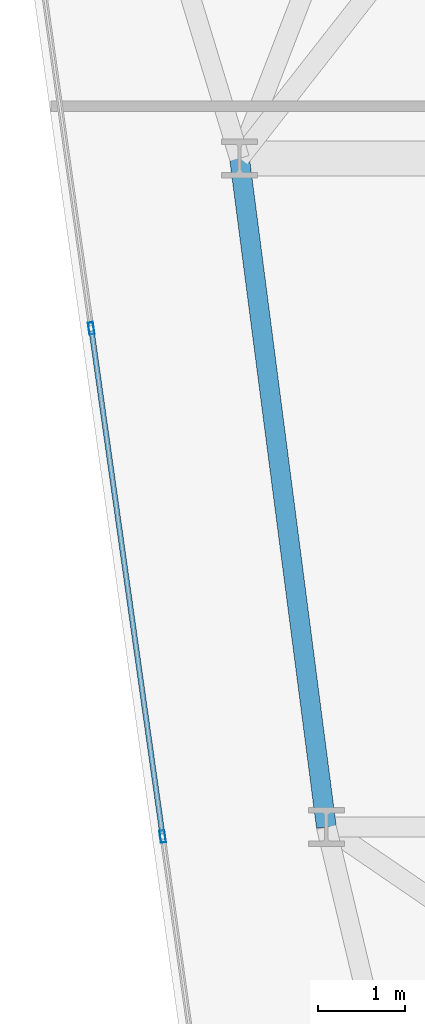
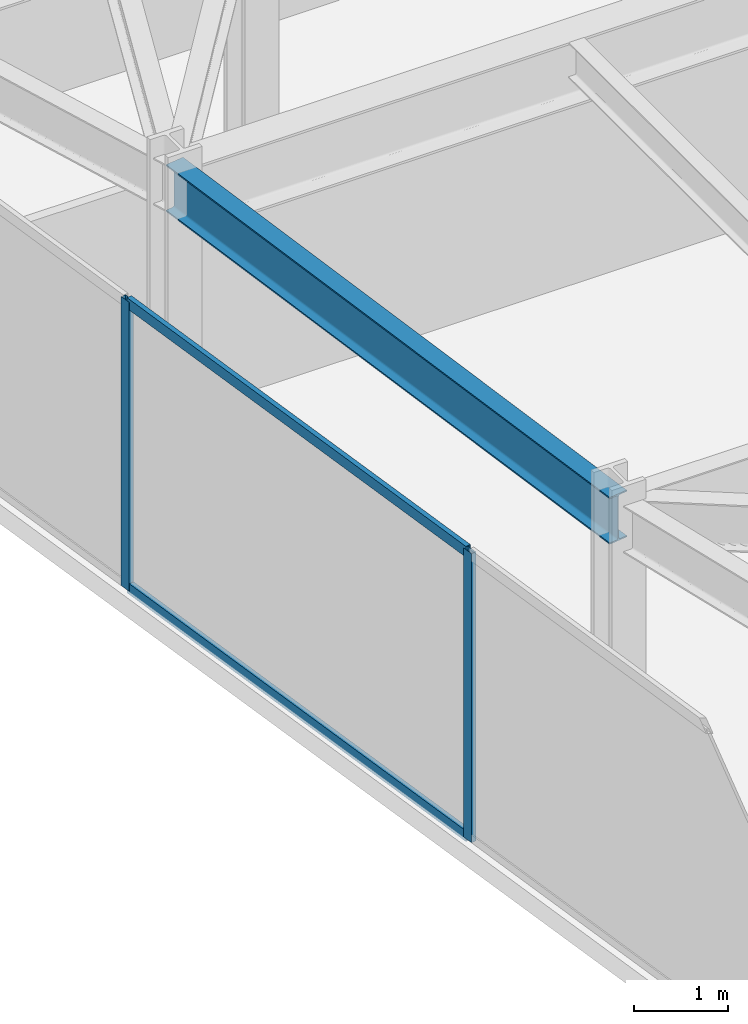
# One storey, part 5 of 26: 4 members, 1 beam, 1 element without a shape of its own.
"""IFC4 building model written with IfcOpenShell, lengths in metres."""

import ifcopenshell
import ifcopenshell.guid

model = None  # the IFC model being written
_history = None  # IfcOwnerHistory: only IFC2X3 demands one
_inside = {}  # id of a spatial element -> (the spatial element, [elements in it])
_under = {}  # id of a project, library or spatial element -> (it, [spatial elements below it])
_declared = {}  # id of a project -> (the project, [libraries it declares])
_typed = {}  # id of a type object -> (the type object, [elements of that type])
_made_of = {}  # id of a material, layer set ... -> (it, [elements and type objects made of it])


def new_model(schema):
    """Start an empty IFC model of exactly this schema.

    Asked for "IFC4X3", IfcOpenShell would pick the latest addendum, in which some entities
    have other attributes; the version numbers below select the first issue.
    IFC2X3 requires an IfcOwnerHistory on every rooted entity: one is made here for all.
    """
    global model, _history
    if schema == "IFC4X3":
        model = ifcopenshell.file(schema_version=(4, 3, 0, 0))
    else:
        model = ifcopenshell.file(schema=schema)
    _inside.clear()
    _under.clear()
    _declared.clear()
    _typed.clear()
    _made_of.clear()
    _history = None
    if model.schema == "IFC2X3":
        org = make("IfcOrganization", Name="unknown")
        user = make(
            "IfcPersonAndOrganization",
            ThePerson=make("IfcPerson", FamilyName="unknown"),
            TheOrganization=org,
        )
        app = make(
            "IfcApplication",
            ApplicationDeveloper=org,
            Version="unknown",
            ApplicationFullName="unknown",
            ApplicationIdentifier="unknown",
        )
        _history = make(
            "IfcOwnerHistory",
            OwningUser=user,
            OwningApplication=app,
            ChangeAction="ADDED",
            CreationDate=0,
        )
    return model


def make(cls, **values):
    """One entity of the class cls with the attributes given. An attribute that is None is left unset."""
    return model.create_entity(
        cls, **{name: value for name, value in values.items() if value is not None}
    )


def rooted(cls, **values):
    """An entity with a GlobalId (a new one), such as an element, a storey or a relation."""
    return make(cls, GlobalId=ifcopenshell.guid.new(), OwnerHistory=_history, **values)


def si_unit(unit_type, name, prefix=None):
    """IfcSIUnit, for example si_unit("LENGTHUNIT", "METRE", prefix="MILLI")."""
    return make("IfcSIUnit", UnitType=unit_type, Prefix=prefix, Name=name)


def assignment(units):
    """IfcUnitAssignment: the units of a project."""
    return None if units is None else make("IfcUnitAssignment", Units=units)


def point(xyz):
    """IfcCartesianPoint."""
    return None if xyz is None else make("IfcCartesianPoint", Coordinates=xyz)


def direction(xyz):
    """IfcDirection."""
    return None if xyz is None else make("IfcDirection", DirectionRatios=xyz)


def frame(location, z_axis=None, x_axis=None):
    """IfcAxis2Placement3D, a coordinate frame: its origin and axes. An axis left out is left unset."""
    return make(
        "IfcAxis2Placement3D",
        Location=point(location),
        Axis=direction(z_axis),
        RefDirection=direction(x_axis),
    )


def frame_2d(location, x_axis=None):
    """IfcAxis2Placement2D, a coordinate frame in the plane: its origin and x axis."""
    return make(
        "IfcAxis2Placement2D", Location=point(location), RefDirection=direction(x_axis)
    )


def origin():
    """The frame at (0, 0, 0) with its axes left unset."""
    return frame((0.0, 0.0, 0.0))


def origin_2d():
    """The frame at (0, 0) in the plane with its x axis left unset."""
    return frame_2d((0.0, 0.0))


def place(relative_to, where):
    """IfcLocalPlacement: puts the frame where relative to a parent placement (None: the world)."""
    return make(
        "IfcLocalPlacement", PlacementRelTo=relative_to, RelativePlacement=where
    )


def context(
    kind, dimensions, precision=None, world=None, true_north=None, identifier=None
):
    """IfcGeometricRepresentationContext, for example the 3D "Model" context."""
    return make(
        "IfcGeometricRepresentationContext",
        ContextIdentifier=identifier,
        ContextType=kind,
        CoordinateSpaceDimension=dimensions,
        Precision=precision,
        WorldCoordinateSystem=world,
        TrueNorth=true_north,
    )


def subcontext(parent, identifier, kind, view, scale=None):
    """IfcGeometricRepresentationSubContext, for example "Body" below "Model"."""
    return make(
        "IfcGeometricRepresentationSubContext",
        ContextIdentifier=identifier,
        ContextType=kind,
        ParentContext=parent,
        TargetScale=scale,
        TargetView=view,
    )


def project(units=None, contexts=None):
    """IfcProject with its units and contexts."""
    return rooted(
        "IfcProject",
        Name="project",
        RepresentationContexts=contexts,
        UnitsInContext=assignment(units),
    )


def spatial(cls, under=None, at=None, **own):
    """A site, building, storey or space (cls), placed at a placement, below another one or the project."""
    s = rooted(cls, ObjectPlacement=at, **own)
    if under is not None:
        _under.setdefault(under.id(), (under, []))[1].append(s)
    return s


def profile(cls, at=None, kind="AREA", **sizes):
    """A parametric profile (cls). Its sizes go by their IFC names, for example OverallWidth=200.0."""
    return make(cls, ProfileType=kind, Position=at, **sizes)


def hollow_rectangle(**sizes):
    """IfcRectangleHollowProfileDef."""
    return profile("IfcRectangleHollowProfileDef", **sizes)


def i_section(**sizes):
    """IfcIShapeProfileDef."""
    return profile("IfcIShapeProfileDef", **sizes)


def extrude(swept, where, along, depth):
    """IfcExtrudedAreaSolid: the profile swept, set in the frame where, extruded along a direction by depth."""
    return make(
        "IfcExtrudedAreaSolid",
        SweptArea=swept,
        Position=where,
        ExtrudedDirection=direction(along),
        Depth=depth,
    )


def shape(context_of_items, identifier, shape_type, items):
    """IfcShapeRepresentation: the items that make up one representation, for example the "Body"."""
    return make(
        "IfcShapeRepresentation",
        ContextOfItems=context_of_items,
        RepresentationIdentifier=identifier,
        RepresentationType=shape_type,
        Items=items,
    )


def material(Name=None, Category=None):
    """IfcMaterial."""
    return make("IfcMaterial", Name=Name, Category=Category)


def layer(
    of_material, thickness, ventilated=None, Name=None, Category=None, Priority=None
):
    """IfcMaterialLayer: one layer of a wall or slab, of a material (None: an air gap)."""
    return make(
        "IfcMaterialLayer",
        Material=of_material,
        LayerThickness=thickness,
        IsVentilated=ventilated,
        Name=Name,
        Category=Category,
        Priority=Priority,
    )


def layer_set(layers, Name=None):
    """IfcMaterialLayerSet."""
    return make("IfcMaterialLayerSet", MaterialLayers=layers, LayerSetName=Name)


def material_profile(
    of_material, cross_section, Name=None, Category=None, Priority=None
):
    """IfcMaterialProfile: a cross section and its material."""
    return make(
        "IfcMaterialProfile",
        Name=Name,
        Material=of_material,
        Profile=cross_section,
        Priority=Priority,
        Category=Category,
    )


def profile_set(profiles, Name=None, composite=None):
    """IfcMaterialProfileSet."""
    return make(
        "IfcMaterialProfileSet",
        Name=Name,
        MaterialProfiles=profiles,
        CompositeProfile=composite,
    )


def made_of(thing, what):
    """Note that an element or type object is made of a material, layer set ...; save() writes the relation."""
    if what is not None:
        _made_of.setdefault(what.id(), (what, []))[1].append(thing)
    return thing


def type_object(cls, material=None, **own):
    """A type object (cls), such as IfcWallType, which elements share."""
    return made_of(rooted(cls, **own), material)


def element(
    cls,
    number,
    at=None,
    inside=None,
    cuts=None,
    type_object=None,
    material=None,
    context=None,
    identifier="Body",
    shape_type=None,
    held_by="IfcProductDefinitionShape",
    body=None,
    shapes=None,
    **own,
):
    """One element of the class cls, such as IfcWall. Its Tag is "e" and its number.

    at: its placement. inside: the storey or other place that contains it. cuts: it is an
    opening in that element (IfcRelVoidsElement). A single representation is given by context,
    identifier, shape_type and body (its items); several are given by shapes. held_by: the class
    of the entity that holds the representations. save() writes the other relations.
    """
    e = rooted(cls, Tag="e%d" % number, ObjectPlacement=at, **own)
    if body is not None:
        shapes = [shape(context, identifier, shape_type, body)]
    if shapes is not None:
        e.Representation = make(held_by, Representations=shapes)
    if inside is not None:
        _inside.setdefault(inside.id(), (inside, []))[1].append(e)
    if cuts is not None:
        rooted(
            "IfcRelVoidsElement", RelatingBuildingElement=cuts, RelatedOpeningElement=e
        )
    if type_object is not None:
        _typed.setdefault(type_object.id(), (type_object, []))[1].append(e)
    return made_of(e, material)


def aggregate(whole, parts):
    """IfcRelAggregates: a whole, such as a stair, and the parts it consists of."""
    return rooted("IfcRelAggregates", RelatingObject=whole, RelatedObjects=parts)


def save(model, path):
    """Write the relations noted so far, then the file.

    IfcRelAggregates (storeys below a building ...), IfcRelContainedInSpatialStructure (elements
    in a storey), IfcRelDefinesByType, IfcRelAssociatesMaterial and IfcRelDeclares: one each for
    every whole, place, type object, material and project.
    """
    for whole, parts in _under.values():
        aggregate(whole, parts)
    for where, things in _inside.values():
        rooted(
            "IfcRelContainedInSpatialStructure",
            RelatedElements=things,
            RelatingStructure=where,
        )
    for kind, things in _typed.values():
        rooted("IfcRelDefinesByType", RelatedObjects=things, RelatingType=kind)
    for what, things in _made_of.values():
        rooted("IfcRelAssociatesMaterial", RelatedObjects=things, RelatingMaterial=what)
    for by, libraries in _declared.values():
        rooted("IfcRelDeclares", RelatingContext=by, RelatedDefinitions=libraries)
    model.write(path)


model = new_model("IFC4")

# Units and contexts
model_context = context("Model", 3, precision=1e-05, world=origin(), true_north=direction((0.0, 1.0)))
body_context = subcontext(model_context, "Body", "Model", "MODEL_VIEW")
ifc_project = project(units=[si_unit("LENGTHUNIT", "METRE"), si_unit("AREAUNIT", "SQUARE_METRE"), si_unit("VOLUMEUNIT", "CUBIC_METRE"), si_unit("PLANEANGLEUNIT", "RADIAN"), si_unit("MASSUNIT", "GRAM", prefix="KILO")], contexts=[model_context])

# Site, building, storey
site_placement = place(None, origin())
site = spatial("IfcSite", under=ifc_project, at=site_placement, CompositionType="ELEMENT")
building_placement = place(site_placement, origin())
building = spatial("IfcBuilding", under=site, at=building_placement, Name="Kravanh Interchange Tower", CompositionType="ELEMENT")
storey_placement = place(building_placement, frame((0.0, 0.0, 136.0)))
storey = spatial("IfcBuildingStorey", under=building, at=storey_placement, Name="L32", CompositionType="ELEMENT", Elevation=136.0)

# Curtain wall, members
ifc_material_1 = material(Name="Anodised Bronze Aluminium", Category="aluminium")
ifc_layer = layer(ifc_material_1, 0.179931640625)
ifc_layer_set = layer_set([ifc_layer], Name="Unitised Curtain Wall System CW-Z2 Mid Office")
curtain_wall_type = type_object("IfcCurtainWallType", Name="Unitised Curtain Wall System CW-Z2 Mid Office", PredefinedType="NOTDEFINED", material=ifc_layer_set)
curtain_wall_placement = place(storey_placement, origin())
curtain_wall = element("IfcCurtainWall", 1, at=curtain_wall_placement, inside=storey, type_object=curtain_wall_type, Name="L32 Unitised Curtain Wall CW-L32-01", PredefinedType="NOTDEFINED")
ifc_material_2 = material(Name="Anodised Bronze Aluminium", Category="aluminium")
ifc_material_profile_1 = material_profile(ifc_material_2, hollow_rectangle(XDim=0.06005859375, YDim=0.139892578125, WallThickness=0.00390625, at=origin_2d()), Name="ALU60X140X4")
ifc_profile_set_1 = profile_set([ifc_material_profile_1], Name="Anodised Bronze Aluminium")
member_type_1 = type_object("IfcMemberType", Name="Curtain Wall Mullion ALU60X140X4 Bronze", PredefinedType="MULLION", material=ifc_profile_set_1)
member_1_placement = place(storey_placement, frame((14.114990234375, 14.390869140625, 0.0), z_axis=(0.0, 0.0, 1.0), x_axis=(-0.990268103846, -0.13917285118, 0.0)))
member_1 = element("IfcMember", 2, at=member_1_placement, type_object=member_type_1, Name="CW-Z2 mullion 2", PredefinedType="MULLION", context=body_context, shape_type="SweptSolid", body=[
    extrude(hollow_rectangle(XDim=0.06005859375, YDim=0.139892578125, WallThickness=0.00390625, at=origin_2d()), origin(), (0.0, 0.0, 1.0), 3.75),
])
member_2_placement = place(storey_placement, frame((13.29248046875, 20.2431640625, 0.0), z_axis=(0.0, 0.0, 1.0), x_axis=(-0.990268103846, -0.13917285118, 0.0)))
member_2 = element("IfcMember", 3, at=member_2_placement, type_object=member_type_1, Name="CW-Z2 mullion 3", PredefinedType="MULLION", context=body_context, shape_type="SweptSolid", body=[
    extrude(hollow_rectangle(XDim=0.06005859375, YDim=0.139892578125, WallThickness=0.00390625, at=origin_2d()), origin(), (0.0, 0.0, 1.0), 3.75),
])
ifc_material_3 = material(Name="Anodised Bronze Aluminium", Category="aluminium")
ifc_material_profile_2 = material_profile(ifc_material_3, hollow_rectangle(XDim=0.06005859375, YDim=0.139892578125, WallThickness=0.00390625, at=origin_2d()), Name="ALU60X140X4")
ifc_profile_set_2 = profile_set([ifc_material_profile_2], Name="Anodised Bronze Aluminium")
member_type_2 = type_object("IfcMemberType", Name="Curtain Wall Transom ALU60X140X4 Bronze", PredefinedType="USERDEFINED", material=ifc_profile_set_2)
member_3_placement = place(storey_placement, frame((14.11083984375, 14.420654296875, 0.030029296875), z_axis=(-0.139183212647, 0.990266647584, 0.0), x_axis=(-0.990266647584, -0.139183212647, 0.0)))
member_3 = element("IfcMember", 4, at=member_3_placement, type_object=member_type_2, Name="CW-Z2 transom 2.1", ObjectType="TRANSOM", PredefinedType="USERDEFINED", context=body_context, shape_type="SweptSolid", body=[
    extrude(hollow_rectangle(XDim=0.06005859375, YDim=0.139892578125, WallThickness=0.00390625, at=origin_2d()), origin(), (0.0, 0.0, 1.0), 5.849853515625),
])
member_4_placement = place(storey_placement, frame((14.11083984375, 14.420654296875, 3.719970703125), z_axis=(-0.139183212647, 0.990266647584, 0.0), x_axis=(-0.990266647584, -0.139183212647, 0.0)))
member_4 = element("IfcMember", 5, at=member_4_placement, type_object=member_type_2, Name="CW-Z2 transom 2.2", ObjectType="TRANSOM", PredefinedType="USERDEFINED", context=body_context, shape_type="SweptSolid", body=[
    extrude(hollow_rectangle(XDim=0.06005859375, YDim=0.139892578125, WallThickness=0.00390625, at=origin_2d()), origin(), (0.0, 0.0, 1.0), 5.849853515625),
])
aggregate(curtain_wall, [member_1, member_2, member_3, member_4])

# Beam
ifc_material_4 = material(Name="Structural Steel S355", Category="steel")
ifc_material_profile_3 = material_profile(ifc_material_4, i_section(OverallWidth=0.22802734375, OverallDepth=0.60791015625, WebThickness=0.01123046875, FlangeThickness=0.017333984375, FilletRadius=0.02197265625, at=origin_2d()), Name="W24X76")
ifc_profile_set_3 = profile_set([ifc_material_profile_3], Name="Structural Steel S355")
beam_type = type_object("IfcBeamType", Name="Floor Spandrel W24X76 Structural Steel S355", PredefinedType="SPANDREL", material=ifc_profile_set_3)
beam_placement = place(storey_placement, frame((16.0, 14.5, 3.446044921875), z_axis=(-0.128789384125, 0.99167196922, 0.0), x_axis=(-0.99167196922, -0.128789384125, 0.0)))
element("IfcBeam", 6, at=beam_placement, inside=storey, type_object=beam_type, Name="L32 Perimeter Spandrel 100", PredefinedType="SPANDREL", context=body_context, shape_type="SweptSolid", body=[
    extrude(i_section(OverallWidth=0.22802734375, OverallDepth=0.60791015625, WebThickness=0.01123046875, FlangeThickness=0.017333984375, FilletRadius=0.02197265625, at=origin_2d()), origin(), (0.0, 0.0, 1.0), 7.7646484375),
])

save(model, "model.ifc")
